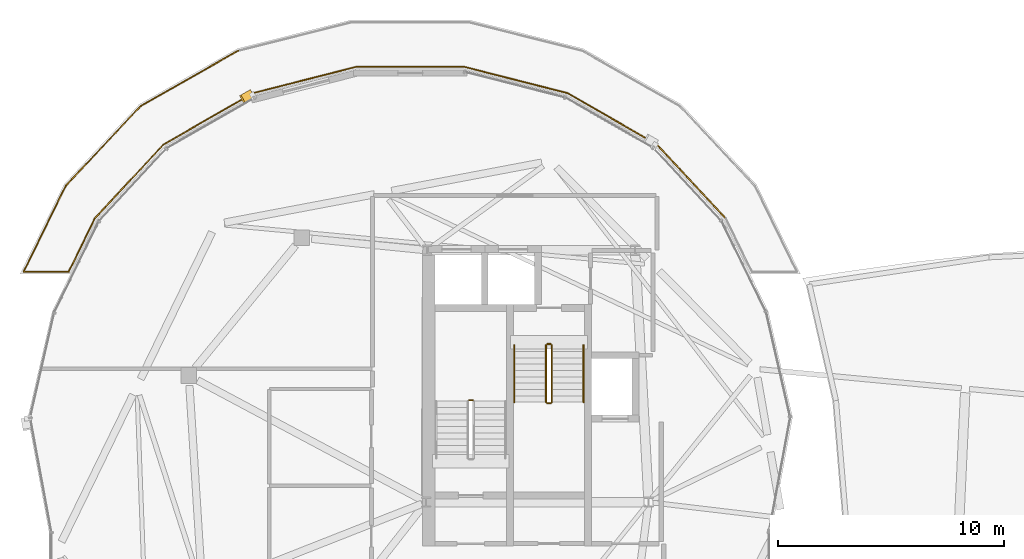
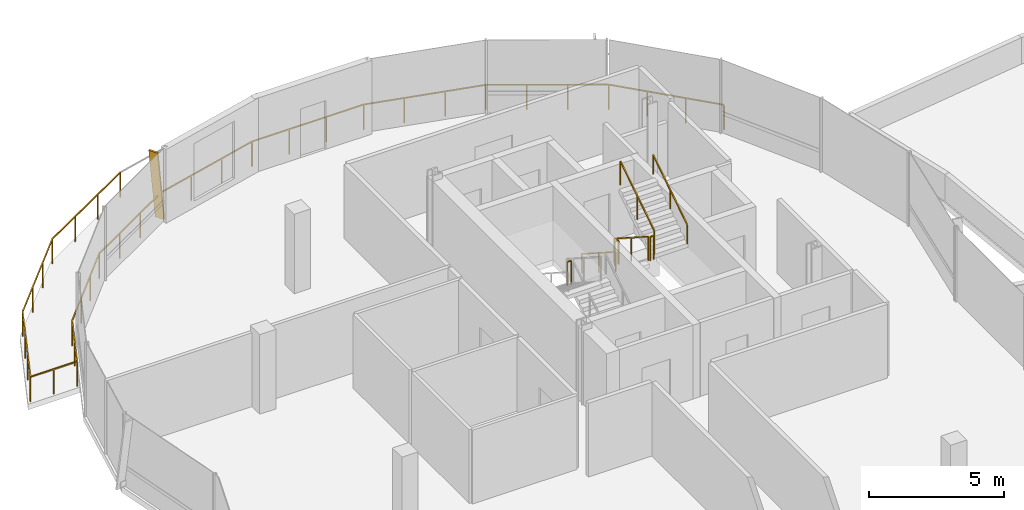
# One storey, part 27 of 31: 13 railings, 1 shading device.
"""IFC4 building model written with IfcOpenShell, lengths in metres."""

from ifc_helpers import new_model, si_unit, direction, frame, origin, origin_2d, place, context, subcontext, project, spatial, rectangle, extrude, material, material_profile, profile_set, type_object, element, save


model = new_model("IFC4")

# Units and contexts
model_context = context("Model", 3, precision=1e-05, world=origin(), true_north=direction((0.0, 1.0)))
body_context = subcontext(model_context, "Body", "Model", "MODEL_VIEW")
ifc_project = project(units=[si_unit("LENGTHUNIT", "METRE"), si_unit("AREAUNIT", "SQUARE_METRE"), si_unit("VOLUMEUNIT", "CUBIC_METRE"), si_unit("PLANEANGLEUNIT", "RADIAN"), si_unit("MASSUNIT", "GRAM", prefix="KILO"), si_unit("THERMODYNAMICTEMPERATUREUNIT", "KELVIN"), si_unit("POWERUNIT", "WATT")], contexts=[model_context])

# Site, building, storey
site_placement = place(None, origin())
site = spatial("IfcSite", under=ifc_project, at=site_placement, CompositionType="ELEMENT")
building_placement = place(site_placement, origin())
building = spatial("IfcBuilding", under=site, at=building_placement, Name="Cundina Bronze Exchange", CompositionType="ELEMENT")
storey_placement = place(building_placement, frame((0.0, 0.0, 275.60009765625)))
storey = spatial("IfcBuildingStorey", under=building, at=storey_placement, Name="L73", CompositionType="ELEMENT", Elevation=275.60009765625)

# Railings
ifc_material_1 = material(Name="Anodised Bronze Aluminium 6063-T6", Category="aluminium")
railing_type_1 = type_object("IfcRailingType", Name="RLG-GRD-1150", PredefinedType="GUARDRAIL", material=ifc_material_1)
railing_1_placement = place(storey_placement, frame((-47.243896484375, 17.903564453125, 0.0)))
element("IfcRailing", 1, at=railing_1_placement, inside=storey, type_object=railing_type_1, Name="L73 Perimeter Safety Guardrail 01", PredefinedType="GUARDRAIL", context=body_context, shape_type="SweptSolid", body=[
    extrude(rectangle(XDim=0.048095703125, YDim=0.048095703125, at=origin_2d()), frame((0.0, 0.0, 1.1259765625), z_axis=(0.684374532241, 0.729130646469, 0.0), x_axis=(-0.729130646469, 0.684374532241, 0.0)), (0.0, 0.0, 1.0), 4.8330078125),
    extrude(rectangle(XDim=0.048095703125, YDim=0.048095703125, at=origin_2d()), frame((3.3076171875, 3.52392578125, 1.1259765625), z_axis=(0.86955534313, 0.493835504226, 0.0), x_axis=(-0.493835504226, 0.86955534313, 0.0)), (0.0, 0.0, 1.0), 4.968994140625),
    extrude(rectangle(XDim=0.0419921875, YDim=0.0419921875, at=origin_2d()), origin(), (0.0, 0.0, 1.0), 1.101806640625),
    extrude(rectangle(XDim=0.0419921875, YDim=0.0419921875, at=origin_2d()), frame((1.1025390625, 1.174560546875, 0.0)), (0.0, 0.0, 1.0), 1.101806640625),
    extrude(rectangle(XDim=0.0419921875, YDim=0.0419921875, at=origin_2d()), frame((2.205078125, 2.349365234375, 0.0)), (0.0, 0.0, 1.0), 1.101806640625),
    extrude(rectangle(XDim=0.0419921875, YDim=0.0419921875, at=origin_2d()), frame((3.3076171875, 3.52392578125, 0.0)), (0.0, 0.0, 1.0), 1.101806640625),
    extrude(rectangle(XDim=0.0419921875, YDim=0.0419921875, at=origin_2d()), frame((4.747802734375, 4.341796875, 0.0)), (0.0, 0.0, 1.0), 1.101806640625),
    extrude(rectangle(XDim=0.0419921875, YDim=0.0419921875, at=origin_2d()), frame((6.188232421875, 5.159912109375, 0.0)), (0.0, 0.0, 1.0), 1.101806640625),
    extrude(rectangle(XDim=0.0419921875, YDim=0.0419921875, at=origin_2d()), frame((7.62841796875, 5.977783203125, 0.0)), (0.0, 0.0, 1.0), 1.101806640625),
])
railing_2_placement = place(storey_placement, frame((-18.046630859375, 16.470703125, 0.0)))
element("IfcRailing", 2, at=railing_2_placement, inside=storey, type_object=railing_type_1, Name="L73 Perimeter Safety Guardrail 06", PredefinedType="GUARDRAIL", context=body_context, shape_type="SweptSolid", body=[
    extrude(rectangle(XDim=0.048095703125, YDim=0.048095703125, at=origin_2d()), frame((0.0, 0.0, 1.1259765625), z_axis=(-0.681882342668, 0.731461872388, 0.0), x_axis=(-0.731461872388, -0.681882342668, 0.0)), (0.0, 0.0, 1.0), 4.47119140625),
    extrude(rectangle(XDim=0.048095703125, YDim=0.048095703125, at=origin_2d()), frame((-3.048828125, 3.2705078125, 1.1259765625), z_axis=(-0.867568999223, 0.497316832198, 0.0), x_axis=(-0.497316832198, -0.867568999223, 0.0)), (0.0, 0.0, 1.0), 4.5517578125),
    extrude(rectangle(XDim=0.0419921875, YDim=0.0419921875, at=origin_2d()), origin(), (0.0, 0.0, 1.0), 1.101806640625),
    extrude(rectangle(XDim=0.0419921875, YDim=0.0419921875, at=origin_2d()), frame((-1.016357421875, 1.090087890625, 0.0)), (0.0, 0.0, 1.0), 1.101806640625),
    extrude(rectangle(XDim=0.0419921875, YDim=0.0419921875, at=origin_2d()), frame((-2.032470703125, 2.180419921875, 0.0)), (0.0, 0.0, 1.0), 1.101806640625),
    extrude(rectangle(XDim=0.0419921875, YDim=0.0419921875, at=origin_2d()), frame((-3.048828125, 3.2705078125, 0.0)), (0.0, 0.0, 1.0), 1.101806640625),
    extrude(rectangle(XDim=0.0419921875, YDim=0.0419921875, at=origin_2d()), frame((-4.365234375, 4.025146484375, 0.0)), (0.0, 0.0, 1.0), 1.101806640625),
    extrude(rectangle(XDim=0.0419921875, YDim=0.0419921875, at=origin_2d()), frame((-5.681396484375, 4.779541015625, 0.0)), (0.0, 0.0, 1.0), 1.101806640625),
    extrude(rectangle(XDim=0.0419921875, YDim=0.0419921875, at=origin_2d()), frame((-6.997802734375, 5.5341796875, 0.0)), (0.0, 0.0, 1.0), 1.101806640625),
])
railing_3_placement = place(storey_placement, frame((-25.04443359375, 22.0048828125, 0.0)))
element("IfcRailing", 3, at=railing_3_placement, inside=storey, type_object=railing_type_1, Name="L73 Perimeter Safety Guardrail 07", PredefinedType="GUARDRAIL", context=body_context, shape_type="SweptSolid", body=[
    extrude(rectangle(XDim=0.048095703125, YDim=0.048095703125, at=origin_2d()), frame((0.0, 0.0, 1.1259765625), z_axis=(-0.969066775148, 0.246798673628, 0.0), x_axis=(-0.246798673628, -0.969066775148, 0.0)), (0.0, 0.0, 1.0), 4.713623046875),
    extrude(rectangle(XDim=0.048095703125, YDim=0.048095703125, at=origin_2d()), frame((-4.56787109375, 1.163330078125, 1.1259765625), z_axis=(-1.0, 0.0, 0.0), x_axis=(0.0, -1.0, 0.0)), (0.0, 0.0, 1.0), 4.775390625),
    extrude(rectangle(XDim=0.0419921875, YDim=0.0419921875, at=origin_2d()), origin(), (0.0, 0.0, 1.0), 1.101806640625),
    extrude(rectangle(XDim=0.0419921875, YDim=0.0419921875, at=origin_2d()), frame((-1.522705078125, 0.3876953125, 0.0)), (0.0, 0.0, 1.0), 1.101806640625),
    extrude(rectangle(XDim=0.0419921875, YDim=0.0419921875, at=origin_2d()), frame((-3.045166015625, 0.775634765625, 0.0)), (0.0, 0.0, 1.0), 1.101806640625),
    extrude(rectangle(XDim=0.0419921875, YDim=0.0419921875, at=origin_2d()), frame((-4.56787109375, 1.163330078125, 0.0)), (0.0, 0.0, 1.0), 1.101806640625),
    extrude(rectangle(XDim=0.0419921875, YDim=0.0419921875, at=origin_2d()), frame((-6.15966796875, 1.163330078125, 0.0)), (0.0, 0.0, 1.0), 1.101806640625),
    extrude(rectangle(XDim=0.0419921875, YDim=0.0419921875, at=origin_2d()), frame((-7.75146484375, 1.163330078125, 0.0)), (0.0, 0.0, 1.0), 1.101806640625),
    extrude(rectangle(XDim=0.0419921875, YDim=0.0419921875, at=origin_2d()), frame((-9.34326171875, 1.163330078125, 0.0)), (0.0, 0.0, 1.0), 1.101806640625),
])
railing_4_placement = place(storey_placement, frame((-34.3876953125, 23.168212890625, 0.0)))
element("IfcRailing", 4, at=railing_4_placement, inside=storey, type_object=railing_type_1, Name="L73 Perimeter Safety Guardrail 08", PredefinedType="GUARDRAIL", context=body_context, shape_type="SweptSolid", body=[
    extrude(rectangle(XDim=0.048095703125, YDim=0.048095703125, at=origin_2d()), frame((0.0, 0.0, 1.1259765625), z_axis=(-0.968966978327, -0.247190199869, 0.0), x_axis=(0.247190199869, -0.968966978327, 0.0)), (0.0, 0.0, 1.0), 4.723876953125),
    extrude(rectangle(XDim=0.048095703125, YDim=0.048095703125, at=origin_2d()), frame((-4.577392578125, -1.167724609375, 1.1259765625), z_axis=(-0.867108491991, -0.498119326183, 0.0), x_axis=(0.498119326183, -0.867108491991, 0.0)), (0.0, 0.0, 1.0), 4.56396484375),
    extrude(rectangle(XDim=0.0419921875, YDim=0.0419921875, at=origin_2d()), origin(), (0.0, 0.0, 1.0), 1.101806640625),
    extrude(rectangle(XDim=0.0419921875, YDim=0.0419921875, at=origin_2d()), frame((-1.52587890625, -0.38916015625, 0.0)), (0.0, 0.0, 1.0), 1.101806640625),
    extrude(rectangle(XDim=0.0419921875, YDim=0.0419921875, at=origin_2d()), frame((-3.051513671875, -0.778564453125, 0.0)), (0.0, 0.0, 1.0), 1.101806640625),
    extrude(rectangle(XDim=0.0419921875, YDim=0.0419921875, at=origin_2d()), frame((-4.577392578125, -1.167724609375, 0.0)), (0.0, 0.0, 1.0), 1.101806640625),
    extrude(rectangle(XDim=0.0419921875, YDim=0.0419921875, at=origin_2d()), frame((-5.896484375, -1.925537109375, 0.0)), (0.0, 0.0, 1.0), 1.101806640625),
    extrude(rectangle(XDim=0.0419921875, YDim=0.0419921875, at=origin_2d()), frame((-7.2158203125, -2.683349609375, 0.0)), (0.0, 0.0, 1.0), 1.101806640625),
    extrude(rectangle(XDim=0.0419921875, YDim=0.0419921875, at=origin_2d()), frame((-8.534912109375, -3.441162109375, 0.0)), (0.0, 0.0, 1.0), 1.101806640625),
])
railing_5_placement = place(storey_placement, frame((-42.922607421875, 19.72705078125, 0.0)))
element("IfcRailing", 5, at=railing_5_placement, inside=storey, type_object=railing_type_1, Name="L73 Perimeter Safety Guardrail 09", PredefinedType="GUARDRAIL", context=body_context, shape_type="SweptSolid", body=[
    extrude(rectangle(XDim=0.048095703125, YDim=0.048095703125, at=origin_2d()), frame((0.0, 0.0, 1.1259765625), z_axis=(-0.681296870711, -0.732007222615, 0.0), x_axis=(0.732007222615, -0.681296870711, 0.0)), (0.0, 0.0, 1.0), 4.448486328125),
    extrude(rectangle(XDim=0.048095703125, YDim=0.048095703125, at=origin_2d()), frame((-3.03076171875, -3.25634765625, 1.1259765625), z_axis=(-0.439873538042, -0.898059725481, 0.0), x_axis=(0.898059725481, -0.439873538042, 0.0)), (0.0, 0.0, 1.0), 2.6396484375),
    extrude(rectangle(XDim=0.0419921875, YDim=0.0419921875, at=origin_2d()), origin(), (0.0, 0.0, 1.0), 1.101806640625),
    extrude(rectangle(XDim=0.0419921875, YDim=0.0419921875, at=origin_2d()), frame((-1.01025390625, -1.08544921875, 0.0)), (0.0, 0.0, 1.0), 1.101806640625),
    extrude(rectangle(XDim=0.0419921875, YDim=0.0419921875, at=origin_2d()), frame((-2.0205078125, -2.1708984375, 0.0)), (0.0, 0.0, 1.0), 1.101806640625),
    extrude(rectangle(XDim=0.0419921875, YDim=0.0419921875, at=origin_2d()), frame((-3.03076171875, -3.25634765625, 0.0)), (0.0, 0.0, 1.0), 1.101806640625),
    extrude(rectangle(XDim=0.0419921875, YDim=0.0419921875, at=origin_2d()), frame((-3.611328125, -4.441650390625, 0.0)), (0.0, 0.0, 1.0), 1.101806640625),
    extrude(rectangle(XDim=0.0419921875, YDim=0.0419921875, at=origin_2d()), frame((-4.19189453125, -5.626953125, 0.0)), (0.0, 0.0, 1.0), 1.101806640625),
])
railing_6_placement = place(storey_placement, frame((-47.114501953125, 14.10009765625, 0.0)))
element("IfcRailing", 6, at=railing_6_placement, inside=storey, type_object=railing_type_1, Name="L73 Perimeter Safety Guardrail 10", PredefinedType="GUARDRAIL", context=body_context, shape_type="SweptSolid", body=[
    extrude(rectangle(XDim=0.048095703125, YDim=0.048095703125, at=origin_2d()), frame((0.0, 0.0, 1.1259765625), z_axis=(-1.0, 0.0, 0.0), x_axis=(0.0, -1.0, 0.0)), (0.0, 0.0, 1.0), 1.99560546875),
    extrude(rectangle(XDim=0.048095703125, YDim=0.048095703125, at=origin_2d()), frame((-1.99560546875, 0.0, 1.1259765625), z_axis=(0.440493349909, 0.897755873657, 0.0), x_axis=(-0.897755873657, 0.440493349909, 0.0)), (0.0, 0.0, 1.0), 4.236572265625),
    extrude(rectangle(XDim=0.0419921875, YDim=0.0419921875, at=origin_2d()), origin(), (0.0, 0.0, 1.0), 1.101806640625),
    extrude(rectangle(XDim=0.0419921875, YDim=0.0419921875, at=origin_2d()), frame((-0.997802734375, 0.0, 0.0)), (0.0, 0.0, 1.0), 1.101806640625),
    extrude(rectangle(XDim=0.0419921875, YDim=0.0419921875, at=origin_2d()), frame((-1.99560546875, 0.0, 0.0)), (0.0, 0.0, 1.0), 1.101806640625),
    extrude(rectangle(XDim=0.0419921875, YDim=0.0419921875, at=origin_2d()), frame((-1.37353515625, 1.267822265625, 0.0)), (0.0, 0.0, 1.0), 1.101806640625),
    extrude(rectangle(XDim=0.0419921875, YDim=0.0419921875, at=origin_2d()), frame((-0.75146484375, 2.53564453125, 0.0)), (0.0, 0.0, 1.0), 1.101806640625),
    extrude(rectangle(XDim=0.0419921875, YDim=0.0419921875, at=origin_2d()), frame((-0.12939453125, 3.803466796875, 0.0)), (0.0, 0.0, 1.0), 1.101806640625),
])
ifc_material_2 = material(Name="Steel ASTM A36 Painted", Category="steel")
railing_type_2 = type_object("IfcRailingType", Name="RLG-HND-900", PredefinedType="HANDRAIL", material=ifc_material_2)
railing_7_placement = place(storey_placement, frame((-27.389892578125, 10.85009765625, 0.179931640625)))
element("IfcRailing", 7, at=railing_7_placement, inside=storey, type_object=railing_type_2, Name="L73 ST-W2 stair handrail 1", PredefinedType="HANDRAIL", context=body_context, shape_type="SweptSolid", body=[
    extrude(rectangle(XDim=0.048095703125, YDim=0.048095703125, at=origin_2d()), frame((0.0, 0.0, 0.8759765625), z_axis=(0.0, -0.841199657755, 0.540724639528), x_axis=(1.0, 0.0, 0.0)), (0.0, 0.0, 1.0), 2.995849609375),
    extrude(rectangle(XDim=0.0419921875, YDim=0.0419921875, at=origin_2d()), origin(), (0.0, 0.0, 1.0), 0.851806640625),
    extrude(rectangle(XDim=0.0419921875, YDim=0.0419921875, at=origin_2d()), frame((0.0, -1.260009765625, 0.81005859375)), (0.0, 0.0, 1.0), 0.851806640625),
    extrude(rectangle(XDim=0.0419921875, YDim=0.0419921875, at=origin_2d()), frame((0.0, -2.52001953125, 1.619873046875)), (0.0, 0.0, 1.0), 0.851806640625),
])
railing_8_placement = place(storey_placement, frame((-24.330078125, 8.330078125, 1.97998046875)))
element("IfcRailing", 8, at=railing_8_placement, inside=storey, type_object=railing_type_2, Name="L73 ST-W2 stair handrail 2", PredefinedType="HANDRAIL", context=body_context, shape_type="SweptSolid", body=[
    extrude(rectangle(XDim=0.048095703125, YDim=0.048095703125, at=origin_2d()), frame((0.0, 0.0, 0.8759765625), z_axis=(0.0, 0.841199657755, 0.540724639528), x_axis=(-1.0, 0.0, 0.0)), (0.0, 0.0, 1.0), 2.995849609375),
    extrude(rectangle(XDim=0.0419921875, YDim=0.0419921875, at=origin_2d()), origin(), (0.0, 0.0, 1.0), 0.851806640625),
    extrude(rectangle(XDim=0.0419921875, YDim=0.0419921875, at=origin_2d()), frame((0.0, 1.260009765625, 0.81005859375)), (0.0, 0.0, 1.0), 0.851806640625),
    extrude(rectangle(XDim=0.0419921875, YDim=0.0419921875, at=origin_2d()), frame((0.0, 2.52001953125, 1.619873046875)), (0.0, 0.0, 1.0), 0.851806640625),
])
railing_type_3 = type_object("IfcRailingType", Name="RLG-STG-1100", PredefinedType="GUARDRAIL", material=ifc_material_2)
railing_9_placement = place(storey_placement, frame((-29.239990234375, 8.419921875, 1.7998046875)))
element("IfcRailing", 9, at=railing_9_placement, inside=storey, type_object=railing_type_3, Name="L73 ST-W1 stair guard 2", PredefinedType="GUARDRAIL", context=body_context, shape_type="SweptSolid", body=[
    extrude(rectangle(XDim=0.048095703125, YDim=0.048095703125, at=origin_2d()), frame((0.0, 0.0, 1.076171875), z_axis=(-1.0, 0.0, 0.0), x_axis=(0.0, -1.0, 0.0)), (0.0, 0.0, 1.0), 0.159912109375),
    extrude(rectangle(XDim=0.0419921875, YDim=0.0419921875, at=origin_2d()), origin(), (0.0, 0.0, 1.0), 1.052001953125),
    extrude(rectangle(XDim=0.0419921875, YDim=0.0419921875, at=origin_2d()), frame((-0.159912109375, 0.0, 0.0)), (0.0, 0.0, 1.0), 1.052001953125),
])
railing_10_placement = place(storey_placement, frame((-25.989990234375, 10.85009765625, 0.179931640625)))
element("IfcRailing", 10, at=railing_10_placement, inside=storey, type_object=railing_type_3, Name="L73 ST-W2 stair guard 1", PredefinedType="GUARDRAIL", context=body_context, shape_type="SweptSolid", body=[
    extrude(rectangle(XDim=0.048095703125, YDim=0.048095703125, at=origin_2d()), frame((0.0, 0.0, 1.076171875), z_axis=(0.0, -0.841199657755, 0.540724639528), x_axis=(1.0, 0.0, 0.0)), (0.0, 0.0, 1.0), 2.995849609375),
    extrude(rectangle(XDim=0.0419921875, YDim=0.0419921875, at=origin_2d()), origin(), (0.0, 0.0, 1.0), 1.052001953125),
    extrude(rectangle(XDim=0.0419921875, YDim=0.0419921875, at=origin_2d()), frame((0.0, -1.260009765625, 0.81005859375)), (0.0, 0.0, 1.0), 1.052001953125),
    extrude(rectangle(XDim=0.0419921875, YDim=0.0419921875, at=origin_2d()), frame((0.0, -2.52001953125, 1.619873046875)), (0.0, 0.0, 1.0), 1.052001953125),
])
railing_11_placement = place(storey_placement, frame((-25.93994140625, 8.280029296875, 1.7998046875)))
element("IfcRailing", 11, at=railing_11_placement, inside=storey, type_object=railing_type_3, Name="L73 ST-W2 stair guard 2", PredefinedType="GUARDRAIL", context=body_context, shape_type="SweptSolid", body=[
    extrude(rectangle(XDim=0.048095703125, YDim=0.048095703125, at=origin_2d()), frame((0.0, 0.0, 1.076171875), z_axis=(1.0, 0.0, 0.0), x_axis=(0.0, 1.0, 0.0)), (0.0, 0.0, 1.0), 0.159912109375),
    extrude(rectangle(XDim=0.0419921875, YDim=0.0419921875, at=origin_2d()), origin(), (0.0, 0.0, 1.0), 1.052001953125),
    extrude(rectangle(XDim=0.0419921875, YDim=0.0419921875, at=origin_2d()), frame((0.159912109375, 0.0, 0.0)), (0.0, 0.0, 1.0), 1.052001953125),
])
railing_12_placement = place(storey_placement, frame((-25.72998046875, 8.330078125, 1.97998046875)))
element("IfcRailing", 12, at=railing_12_placement, inside=storey, type_object=railing_type_3, Name="L73 ST-W2 stair guard 3", PredefinedType="GUARDRAIL", context=body_context, shape_type="SweptSolid", body=[
    extrude(rectangle(XDim=0.048095703125, YDim=0.048095703125, at=origin_2d()), frame((0.0, 0.0, 1.076171875), z_axis=(0.0, 0.841199657755, 0.540724639528), x_axis=(-1.0, 0.0, 0.0)), (0.0, 0.0, 1.0), 2.995849609375),
    extrude(rectangle(XDim=0.0419921875, YDim=0.0419921875, at=origin_2d()), origin(), (0.0, 0.0, 1.0), 1.052001953125),
    extrude(rectangle(XDim=0.0419921875, YDim=0.0419921875, at=origin_2d()), frame((0.0, 1.260009765625, 0.81005859375)), (0.0, 0.0, 1.0), 1.052001953125),
    extrude(rectangle(XDim=0.0419921875, YDim=0.0419921875, at=origin_2d()), frame((0.0, 2.52001953125, 1.619873046875)), (0.0, 0.0, 1.0), 1.052001953125),
])
railing_13_placement = place(storey_placement, frame((-25.93994140625, 10.89990234375, 0.0)))
element("IfcRailing", 13, at=railing_13_placement, inside=storey, type_object=railing_type_3, Name="L73 ST-W2 stair guard 4", PredefinedType="GUARDRAIL", context=body_context, shape_type="SweptSolid", body=[
    extrude(rectangle(XDim=0.048095703125, YDim=0.048095703125, at=origin_2d()), frame((0.0, 0.0, 1.076171875), z_axis=(1.0, 0.0, 0.0), x_axis=(0.0, 1.0, 0.0)), (0.0, 0.0, 1.0), 0.159912109375),
    extrude(rectangle(XDim=0.0419921875, YDim=0.0419921875, at=origin_2d()), origin(), (0.0, 0.0, 1.0), 1.052001953125),
    extrude(rectangle(XDim=0.0419921875, YDim=0.0419921875, at=origin_2d()), frame((0.159912109375, 0.0, 0.0)), (0.0, 0.0, 1.0), 1.052001953125),
])

# Shading device
ifc_material_profile = material_profile(ifc_material_1, rectangle(XDim=0.070068359375, YDim=0.3798828125, at=origin_2d()), Name="FIN70X380", Category="aluminium")
ifc_profile_set = profile_set([ifc_material_profile], Name="Anodised Bronze Aluminium 6063-T6")
shading_device_type = type_object("IfcShadingDeviceType", Name="SHD-FIN-BRZ380", PredefinedType="USERDEFINED", material=ifc_profile_set)
shading_device_placement = place(storey_placement, frame((-39.01220703125, 21.9794921875, 0.02001953125), z_axis=(-0.124905074088, -0.071677648026, 0.98957619072), x_axis=(0.858293459444, 0.492537688626, 0.144010286991)))
element("IfcShadingDevice", 14, at=shading_device_placement, inside=storey, type_object=shading_device_type, Name="L73 Diagonal Bronze Solar Fin 1", ObjectType="FIN", PredefinedType="USERDEFINED", context=body_context, shape_type="SweptSolid", body=[
    extrude(rectangle(XDim=0.070068359375, YDim=0.3798828125, at=origin_2d()), origin(), (0.0, 0.0, 1.0), 3.33447265625),
])

save(model, "model.ifc")
